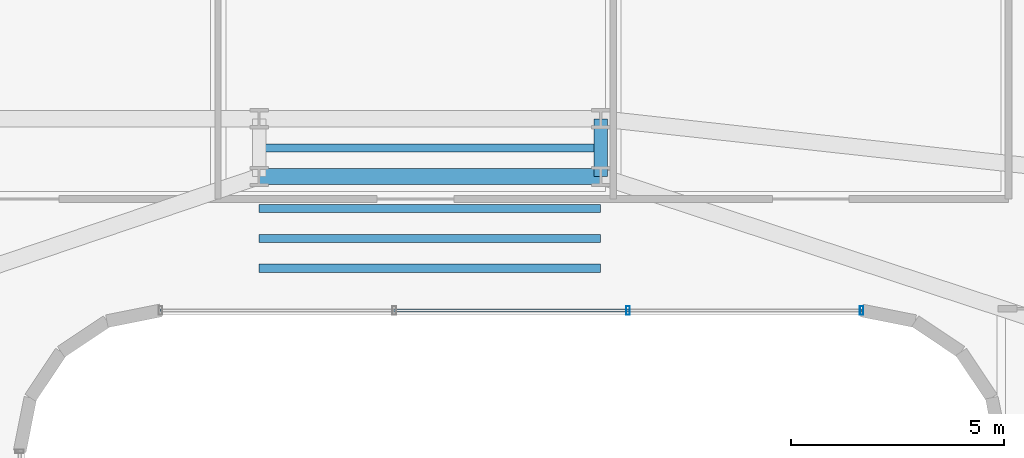
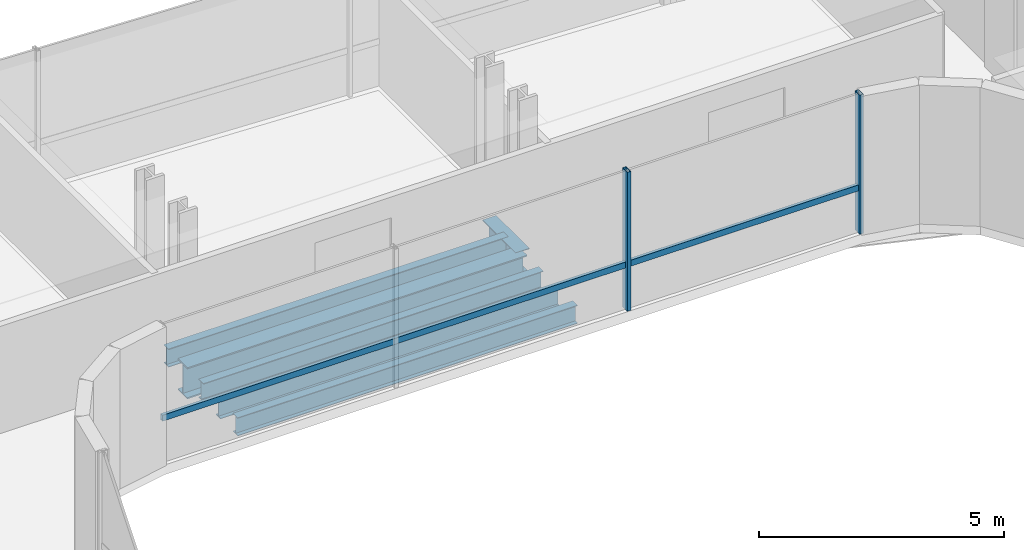
# One storey, part 16 of 37: 6 beams, 3 members, 1 element without a shape of its own.
"""IFC4 building model written with IfcOpenShell, lengths in metres."""

from ifc_helpers import new_model, si_unit, direction, frame, origin, origin_2d, place, context, subcontext, project, spatial, hollow_rectangle, i_section, extrude, source, transform, mapped, material, material_profile, profile_set, type_object, element, aggregate, save


model = new_model("IFC4")

# Units and contexts
model_context = context("Model", 3, precision=1e-05, world=origin(), true_north=direction((0.0, 1.0)))
body_context = subcontext(model_context, "Body", "Model", "MODEL_VIEW")
ifc_project = project(units=[si_unit("LENGTHUNIT", "METRE"), si_unit("AREAUNIT", "SQUARE_METRE"), si_unit("VOLUMEUNIT", "CUBIC_METRE"), si_unit("PLANEANGLEUNIT", "RADIAN"), si_unit("MASSUNIT", "GRAM", prefix="KILO")], contexts=[model_context])

# Site, building, storey
site_placement = place(None, origin())
site = spatial("IfcSite", under=ifc_project, at=site_placement, CompositionType="ELEMENT")
building_placement = place(site_placement, origin())
building = spatial("IfcBuilding", under=site, at=building_placement, Name="Valdorenza Pilgrim Sanctuary Tower", CompositionType="ELEMENT")
storey_placement = place(building_placement, frame((0.0, 0.0, 135.300048828125)))
storey = spatial("IfcBuildingStorey", under=building, at=storey_placement, Name="L34", CompositionType="ELEMENT", Elevation=135.300048828125)

# Beams
ifc_material_1 = material(Name="Steel ASTM A992 Grade 50", Category="steel")
ifc_material_profile_1 = material_profile(ifc_material_1, i_section(OverallWidth=0.323974609375, OverallDepth=0.611083984375, WebThickness=0.0126953125, FlangeThickness=0.01904296875, at=origin_2d()), Name="W24X104")
ifc_profile_set_1 = profile_set([ifc_material_profile_1], Name="Steel ASTM A992 Grade 50")
beam_type_1 = type_object("IfcBeamType", Name="STR-BM-GRD-W24B", PredefinedType="BEAM", material=ifc_profile_set_1)
shared_shape_1 = source(origin(), body_context, "Body", "SweptSolid", [
    extrude(i_section(OverallWidth=0.323974609375, OverallDepth=0.611083984375, WebThickness=0.0126953125, FlangeThickness=0.01904296875, at=origin_2d()), origin(), (0.0, 0.0, 1.0), 1.35009765625),
])
beam_1_placement = place(storey_placement, frame((4.0, 13.449951171875, -0.545654296875), z_axis=(0.0, 1.0, 0.0), x_axis=(-1.0, 0.0, 0.0)))
element("IfcBeam", 1, at=beam_1_placement, inside=storey, type_object=beam_type_1, Name="L34 Floor Girder KNK-TIE-E", PredefinedType="BEAM", context=body_context, shape_type="MappedRepresentation", body=[
    mapped(shared_shape_1, transform((0.0, 0.0, 0.0), x_axis=(1.0, 0.0, 0.0), y_axis=(0.0, 1.0, 0.0), z_axis=(0.0, 0.0, 1.0), scale=1.0)),
])
ifc_material_profile_2 = material_profile(ifc_material_1, i_section(OverallWidth=0.382080078125, OverallDepth=0.779052734375, WebThickness=0.01806640625, FlangeThickness=0.030029296875, at=origin_2d()), Name="W30X191")
ifc_profile_set_2 = profile_set([ifc_material_profile_2], Name="Steel ASTM A992 Grade 50")
beam_type_2 = type_object("IfcBeamType", Name="STR-BM-GRD-W30", PredefinedType="BEAM", material=ifc_profile_set_2)
shared_shape_2 = source(origin(), body_context, "Body", "SweptSolid", [
    extrude(i_section(OverallWidth=0.382080078125, OverallDepth=0.779052734375, WebThickness=0.01806640625, FlangeThickness=0.030029296875, at=origin_2d()), origin(), (0.0, 0.0, 1.0), 8.0),
])
beam_2_placement = place(storey_placement, frame((-4.0, 13.449951171875, -0.629638671875), z_axis=(1.0, 0.0, 0.0), x_axis=(0.0, 1.0, 0.0)))
element("IfcBeam", 2, at=beam_2_placement, inside=storey, type_object=beam_type_2, Name="L34 Floor Girder KNK-G2", PredefinedType="BEAM", context=body_context, shape_type="MappedRepresentation", body=[
    mapped(shared_shape_2, transform((0.0, 0.0, 0.0), x_axis=(1.0, 0.0, 0.0), y_axis=(0.0, 1.0, 0.0), z_axis=(0.0, 0.0, 1.0), scale=1.0)),
])
ifc_material_profile_3 = material_profile(ifc_material_1, i_section(OverallWidth=0.19091796875, OverallDepth=0.45703125, WebThickness=0.009033203125, FlangeThickness=0.014404296875, at=origin_2d()), Name="W18X50")
ifc_profile_set_3 = profile_set([ifc_material_profile_3], Name="Steel ASTM A992 Grade 50")
beam_type_3 = type_object("IfcBeamType", Name="STR-BM-JST-W18B", PredefinedType="JOIST", material=ifc_profile_set_3)
shared_shape_3 = source(origin(), body_context, "Body", "SweptSolid", [
    extrude(i_section(OverallWidth=0.19091796875, OverallDepth=0.45703125, WebThickness=0.009033203125, FlangeThickness=0.014404296875, at=origin_2d()), origin(), (0.0, 0.0, 1.0), 8.0),
])
for number, where, z_axis, x_axis, name in (
    (3, (-4.0, 11.300048828125, -0.468505859375), (1.0, 0.0, 0.0), (0.0, 1.0, 0.0), "L34 Knuckle Composite Joist JST-KNK-1"),
    (4, (-4.0, 12.0, -0.468505859375), (1.0, 0.0, 0.0), (0.0, 1.0, 0.0), "L34 Knuckle Composite Joist JST-KNK-2"),
    (5, (-4.0, 12.699951171875, -0.468505859375), (1.0, 0.0, 0.0), (0.0, 1.0, 0.0), "L34 Knuckle Composite Joist JST-KNK-3"),
    (6, (-4.0, 14.1201171875, -0.468505859375), (1.0, 0.0, 0.0), (0.0, 1.0, 0.0), "L34 Knuckle Composite Joist JST-KNK-4"),
):
    element("IfcBeam", number, at=place(storey_placement, frame(where, z_axis=z_axis, x_axis=x_axis)), inside=storey, type_object=beam_type_3, Name=name, PredefinedType="JOIST", context=body_context, shape_type="MappedRepresentation", body=[
        mapped(shared_shape_3, transform((0.0, 0.0, 0.0), x_axis=(1.0, 0.0, 0.0), y_axis=(0.0, 1.0, 0.0), z_axis=(0.0, 0.0, 1.0), scale=1.0)),
    ])

# Curtain wall, members
ifc_material_2 = material(Name="Curtain-wall IGU glazing", Category="glass")
curtain_wall_type = type_object("IfcCurtainWallType", Name="CW-SYS-02", PredefinedType="NOTDEFINED", material=ifc_material_2)
curtain_wall_placement = place(storey_placement, origin())
curtain_wall = element("IfcCurtainWall", 7, at=curtain_wall_placement, inside=storey, type_object=curtain_wall_type, Name="L34 Curtain Wall CW-L34-1-36", PredefinedType="NOTDEFINED")
ifc_material_3 = material(Name="Anodised aluminium AW-6060", Category="aluminium")
ifc_material_profile_4 = material_profile(ifc_material_3, hollow_rectangle(XDim=0.0849609375, YDim=0.199951171875, WallThickness=0.0048828125, at=origin_2d()), Name="ALU-M 200x85x5")
ifc_profile_set_4 = profile_set([ifc_material_profile_4], Name="Anodised aluminium AW-6060")
member_type_1 = type_object("IfcMemberType", Name="CW-MUL-02", PredefinedType="MULLION", material=ifc_profile_set_4)
shared_shape_4 = source(origin(), body_context, "Body", "SweptSolid", [
    extrude(hollow_rectangle(XDim=0.0849609375, YDim=0.199951171875, WallThickness=0.0048828125, at=origin_2d()), origin(), (0.0, 0.0, 1.0), 3.4599609375),
])
member_1_placement = place(storey_placement, frame((10.11083984375, 10.31005859375, 0.0), z_axis=(0.0, 0.0, 1.0), x_axis=(-1.0, 0.0, 0.0)))
member_1 = element("IfcMember", 8, at=member_1_placement, type_object=member_type_1, Name="CW-L34-1-36 Mullion 1", PredefinedType="MULLION", context=body_context, shape_type="MappedRepresentation", body=[
    mapped(shared_shape_4, transform((0.0, 0.0, 0.0), x_axis=(1.0, 0.0, 0.0), y_axis=(0.0, 1.0, 0.0), z_axis=(0.0, 0.0, 1.0), scale=1.0)),
])
member_2_placement = place(storey_placement, frame((4.636962890625, 10.31005859375, 0.0), z_axis=(0.0, 0.0, 1.0), x_axis=(-1.0, 0.0, 0.0)))
member_2 = element("IfcMember", 9, at=member_2_placement, type_object=member_type_1, Name="CW-L34-1-36 Mullion 2", PredefinedType="MULLION", context=body_context, shape_type="MappedRepresentation", body=[
    mapped(shared_shape_4, transform((0.0, 0.0, 0.0), x_axis=(1.0, 0.0, 0.0), y_axis=(0.0, 1.0, 0.0), z_axis=(0.0, 0.0, 1.0), scale=1.0)),
])
ifc_material_profile_5 = material_profile(ifc_material_3, hollow_rectangle(XDim=0.074951171875, YDim=0.14990234375, WallThickness=0.00390625, at=origin_2d()), Name="ALU-T 150x75x4")
ifc_profile_set_5 = profile_set([ifc_material_profile_5], Name="Anodised aluminium AW-6060")
member_type_2 = type_object("IfcMemberType", Name="CW-TRN-02", PredefinedType="USERDEFINED", material=ifc_profile_set_5)
shared_shape_5 = source(origin(), body_context, "Body", "SweptSolid", [
    extrude(hollow_rectangle(XDim=0.074951171875, YDim=0.14990234375, WallThickness=0.00390625, at=origin_2d()), origin(), (0.0, 0.0, 1.0), 16.421630859375),
])
member_3_placement = place(storey_placement, frame((10.11083984375, 10.31005859375, 1.119873046875), z_axis=(-1.0, 0.0, 0.0), x_axis=(0.0, -1.0, 0.0)))
member_3 = element("IfcMember", 10, at=member_3_placement, type_object=member_type_2, Name="CW-L34-1-36 Transom 1", ObjectType="TRANSOM", PredefinedType="USERDEFINED", context=body_context, shape_type="MappedRepresentation", body=[
    mapped(shared_shape_5, transform((0.0, 0.0, 0.0), x_axis=(1.0, 0.0, 0.0), y_axis=(0.0, 1.0, 0.0), z_axis=(0.0, 0.0, 1.0), scale=1.0)),
])
aggregate(curtain_wall, [member_1, member_2, member_3])

save(model, "model.ifc")
